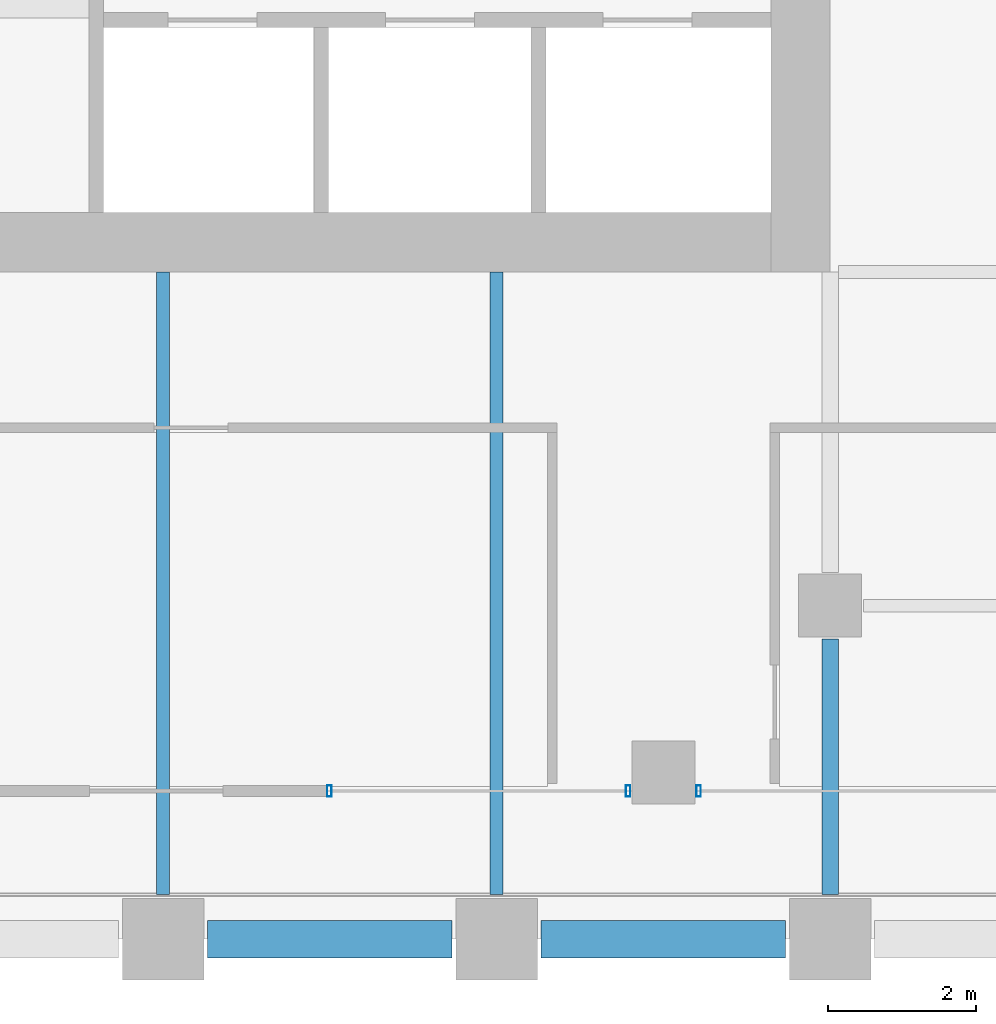
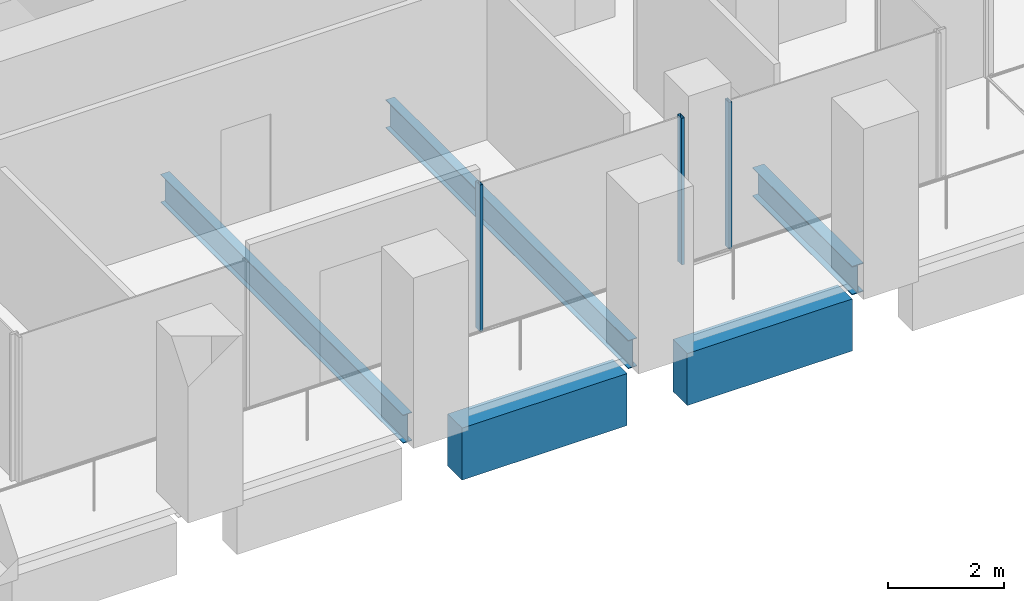
# One storey, part 36 of 55: 5 beams, 3 members, 2 elements without a shape of their own.
"""IFC4 building model written with IfcOpenShell, lengths in metres."""

from ifc_helpers import new_model, si_unit, direction, frame, origin, origin_2d, place, context, subcontext, project, spatial, rectangle, hollow_rectangle, i_section, extrude, material, material_profile, profile_set, type_object, element, aggregate, save


model = new_model("IFC4")

# Units and contexts
model_context = context("Model", 3, precision=1e-05, world=origin(), true_north=direction((0.0, 1.0)))
body_context = subcontext(model_context, "Body", "Model", "MODEL_VIEW")
ifc_project = project(units=[si_unit("LENGTHUNIT", "METRE"), si_unit("AREAUNIT", "SQUARE_METRE"), si_unit("VOLUMEUNIT", "CUBIC_METRE"), si_unit("PLANEANGLEUNIT", "RADIAN"), si_unit("MASSUNIT", "GRAM", prefix="KILO")], contexts=[model_context])

# Site, building, storey
site_placement = place(None, origin())
site = spatial("IfcSite", under=ifc_project, at=site_placement, CompositionType="ELEMENT")
building_placement = place(site_placement, origin())
building = spatial("IfcBuilding", under=site, at=building_placement, Name="Altepetl Exchange Towers", CompositionType="ELEMENT")
storey_placement = place(building_placement, frame((0.0, 0.0, 47.39990234375)))
storey = spatial("IfcBuildingStorey", under=building, at=storey_placement, Name="L10", CompositionType="ELEMENT", Elevation=47.39990234375)

# Beams
ifc_material_1 = material(Name="Steel S355", Category="steel")
ifc_material_profile_1 = material_profile(ifc_material_1, i_section(OverallWidth=0.177978515625, OverallDepth=0.59912109375, WebThickness=0.010009765625, FlangeThickness=0.0126953125, at=origin_2d()), Name="W24X55")
ifc_profile_set_1 = profile_set([ifc_material_profile_1], Name="Steel S355")
beam_type_1 = type_object("IfcBeamType", Name="Floor beam W24X55", PredefinedType="BEAM", material=ifc_profile_set_1)
for number, where, z_axis, x_axis, name in (
    (1, (108.0, 27.60009765625, -0.449462890625), (0.0, 1.0, 0.0), (-1.0, 0.0, 0.0), "bm:B:L10:010"),
    (2, (112.5, 27.60009765625, -0.449462890625), (0.0, 1.0, 0.0), (-1.0, 0.0, 0.0), "bm:B:L10:011"),
):
    element("IfcBeam", number, at=place(storey_placement, frame(where, z_axis=z_axis, x_axis=x_axis)), inside=storey, type_object=beam_type_1, Name=name, PredefinedType="BEAM", context=body_context, shape_type="SweptSolid", body=[
        extrude(i_section(OverallWidth=0.177978515625, OverallDepth=0.59912109375, WebThickness=0.010009765625, FlangeThickness=0.0126953125, at=origin_2d()), origin(), (0.0, 0.0, 1.0), 8.39990234375),
    ])
ifc_material_profile_2 = material_profile(ifc_material_1, i_section(OverallWidth=0.22802734375, OverallDepth=0.60791015625, WebThickness=0.01123046875, FlangeThickness=0.017333984375, at=origin_2d()), Name="W24X76")
ifc_profile_set_2 = profile_set([ifc_material_profile_2], Name="Steel S355")
beam_type_2 = type_object("IfcBeamType", Name="Girder W24X76", PredefinedType="BEAM", material=ifc_profile_set_2)
beam_placement = place(storey_placement, frame((117.0, 31.050048828125, -0.453857421875), z_axis=(0.0, -1.0, 0.0), x_axis=(1.0, 0.0, 0.0)))
element("IfcBeam", 3, at=beam_placement, inside=storey, type_object=beam_type_2, Name="gd:B:L10:005", PredefinedType="BEAM", context=body_context, shape_type="SweptSolid", body=[
    extrude(i_section(OverallWidth=0.22802734375, OverallDepth=0.60791015625, WebThickness=0.01123046875, FlangeThickness=0.017333984375, at=origin_2d()), origin(), (0.0, 0.0, 1.0), 3.449951171875),
])

# Curtain wall, members
ifc_material_2 = material(Name="Aluminium 6063-T6 glazing", Category="aluminium")
curtain_wall_type = type_object("IfcCurtainWallType", Name="Loggia glazing system", PredefinedType="NOTDEFINED", material=ifc_material_2)
curtain_wall_1_placement = place(storey_placement, origin())
curtain_wall_1 = element("IfcCurtainWall", 4, at=curtain_wall_1_placement, inside=storey, type_object=curtain_wall_type, Name="CW1 run", PredefinedType="NOTDEFINED")
ifc_material_3 = material(Name="Aluminium 6063-T6", Category="aluminium")
ifc_material_profile_3 = material_profile(ifc_material_3, hollow_rectangle(XDim=0.06005859375, YDim=0.14990234375, WallThickness=0.0029296875, at=origin_2d()), Name="Mullion 60x150 aluminium")
ifc_profile_set_3 = profile_set([ifc_material_profile_3], Name="Aluminium 6063-T6")
member_type = type_object("IfcMemberType", Name="Mullion 60x150 aluminium", PredefinedType="MULLION", material=ifc_profile_set_3)
member_1_placement = place(storey_placement, frame((110.242431640625, 29.0, 0.0)))
member_1 = element("IfcMember", 5, at=member_1_placement, type_object=member_type, Name="MU1 mullion", PredefinedType="MULLION", context=body_context, shape_type="SweptSolid", body=[
    extrude(hollow_rectangle(XDim=0.06005859375, YDim=0.14990234375, WallThickness=0.0029296875, at=origin_2d()), origin(), (0.0, 0.0, 1.0), 3.10009765625),
])
member_2_placement = place(storey_placement, frame((114.27490234375, 29.0, 0.0)))
member_2 = element("IfcMember", 6, at=member_2_placement, type_object=member_type, Name="MU1 mullion", PredefinedType="MULLION", context=body_context, shape_type="SweptSolid", body=[
    extrude(hollow_rectangle(XDim=0.06005859375, YDim=0.14990234375, WallThickness=0.0029296875, at=origin_2d()), origin(), (0.0, 0.0, 1.0), 3.10009765625),
])
aggregate(curtain_wall_1, [member_1, member_2])

# Curtain wall, member
curtain_wall_2_placement = place(storey_placement, origin())
curtain_wall_2 = element("IfcCurtainWall", 7, at=curtain_wall_2_placement, inside=storey, type_object=curtain_wall_type, Name="CW1 run", PredefinedType="NOTDEFINED")
member_3_placement = place(storey_placement, frame((115.22509765625, 29.0, 0.0)))
member_3 = element("IfcMember", 8, at=member_3_placement, type_object=member_type, Name="MU1 mullion", PredefinedType="MULLION", context=body_context, shape_type="SweptSolid", body=[
    extrude(hollow_rectangle(XDim=0.06005859375, YDim=0.14990234375, WallThickness=0.0029296875, at=origin_2d()), origin(), (0.0, 0.0, 1.0), 3.10009765625),
])
aggregate(curtain_wall_2, [member_3])

# Beams
ifc_material_4 = material(Name="Concrete C50/60 precast with tezontle facing", Category="concrete")
ifc_material_profile_4 = material_profile(ifc_material_4, rectangle(XDim=0.5, YDim=1.10009765625, at=origin_2d()), Name="500 x 1100")
ifc_profile_set_4 = profile_set([ifc_material_profile_4], Name="Concrete C50/60 precast with tezontle facing")
beam_type_3 = type_object("IfcBeamType", Name="Spandrel beam 500x1100 tezontle", PredefinedType="SPANDREL", material=ifc_profile_set_4)
for number, where, z_axis, x_axis, name in (
    (9, (108.60009765625, 27.0, -0.699951171875), (1.0, 0.0, 0.0), (0.0, 1.0, 0.0), "sp:B:L10:002"),
    (10, (113.10009765625, 27.0, -0.699951171875), (1.0, 0.0, 0.0), (0.0, 1.0, 0.0), "sp:B:L10:003"),
):
    element("IfcBeam", number, at=place(storey_placement, frame(where, z_axis=z_axis, x_axis=x_axis)), inside=storey, type_object=beam_type_3, Name=name, PredefinedType="SPANDREL", context=body_context, shape_type="SweptSolid", body=[
        extrude(rectangle(XDim=0.5, YDim=1.10009765625, at=origin_2d()), origin(), (0.0, 0.0, 1.0), 3.2998046875),
    ])

save(model, "model.ifc")
